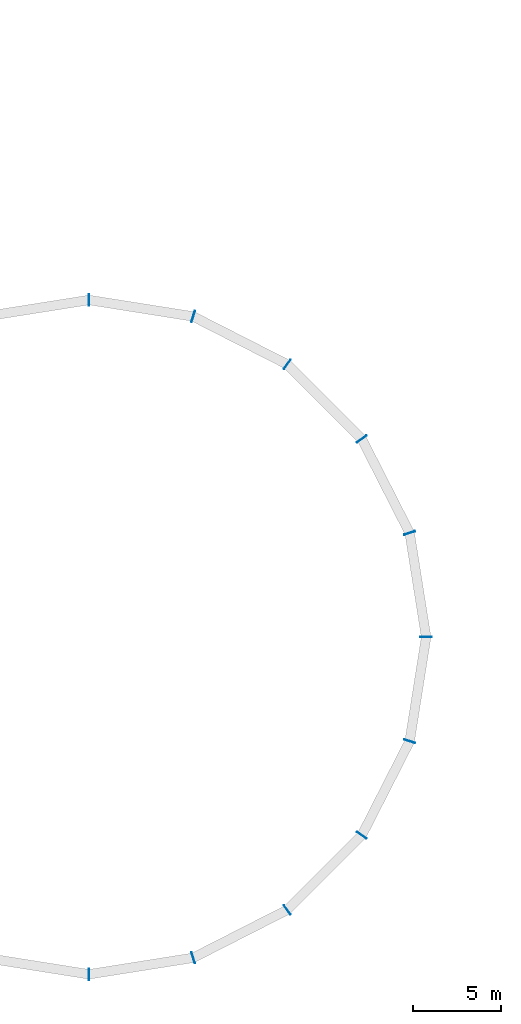
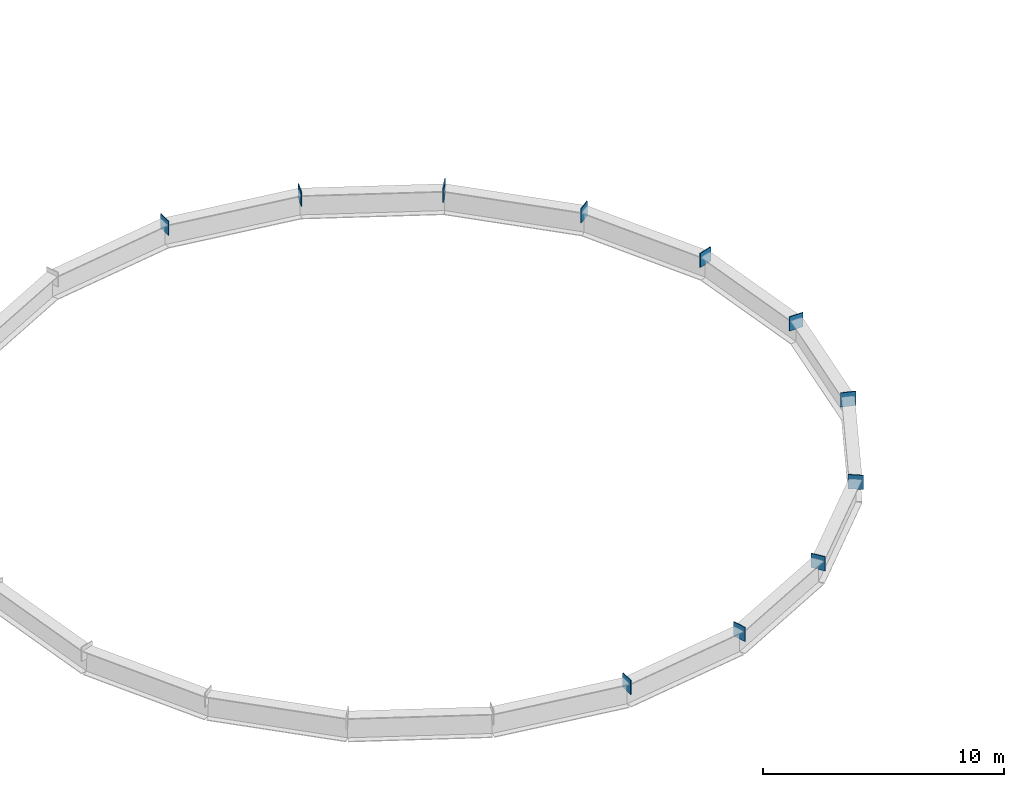
# One storey, part 27 of 45: 11 plates.
"""IFC4 building model written with IfcOpenShell, lengths in metres."""

from ifc_helpers import new_model, si_unit, direction, frame, origin, origin_2d, place, context, subcontext, project, spatial, rectangle, extrude, material, layer, layer_set, type_object, element, save


model = new_model("IFC4")

# Units and contexts
model_context = context("Model", 3, precision=1e-05, world=origin(), true_north=direction((0.0, 1.0)))
body_context = subcontext(model_context, "Body", "Model", "MODEL_VIEW")
ifc_project = project(units=[si_unit("LENGTHUNIT", "METRE"), si_unit("AREAUNIT", "SQUARE_METRE"), si_unit("VOLUMEUNIT", "CUBIC_METRE"), si_unit("PLANEANGLEUNIT", "RADIAN"), si_unit("MASSUNIT", "GRAM", prefix="KILO")], contexts=[model_context])

# Site, building, storey
site_placement = place(None, origin())
site = spatial("IfcSite", under=ifc_project, at=site_placement, CompositionType="ELEMENT")
building_placement = place(site_placement, origin())
building = spatial("IfcBuilding", under=site, at=building_placement, Name="Sefraquen Railside Congress Hotel", CompositionType="ELEMENT")
storey_placement = place(building_placement, frame((0.0, 0.0, 20.39990234375)))
storey = spatial("IfcBuildingStorey", under=building, at=storey_placement, Name="L04", CompositionType="ELEMENT", Elevation=20.39990234375)

# Plates
ifc_material = material(Name="Steel S355J2", Category="steel")
ifc_layer = layer(ifc_material, 0.0400390625)
ifc_layer_set = layer_set([ifc_layer], Name="Steel S355J2")
plate_type = type_object("IfcPlateType", Name="TP-GUS-02", PredefinedType="SHEET", material=ifc_layer_set)
for number, where, z_axis, x_axis, name in (
    (1, (83.39990234375, 27.0, 0.09033203125), (0.0, 0.0, 1.0), (1.0, 0.0, 0.0), "Dome ring-beam radial fin plate 01"),
    (2, (82.460205078125, 32.93310546875, 0.09033203125), (0.0, 0.0, 1.0), (0.951056516295, 0.309016994375, 0.0), "Dome ring-beam radial fin plate 02"),
    (3, (79.733154296875, 38.285400390625, 0.09033203125), (0.0, 0.0, 1.0), (0.809016994375, 0.587785252292, 0.0), "Dome ring-beam radial fin plate 03"),
    (4, (75.485595703125, 42.533203125, 0.09033203125), (0.0, 0.0, 1.0), (0.587785252292, 0.809016994375, 0.0), "Dome ring-beam radial fin plate 04"),
    (5, (70.133056640625, 45.26025390625, 0.09033203125), (0.0, 0.0, 1.0), (0.309016994375, 0.951056516295, 0.0), "Dome ring-beam radial fin plate 05"),
    (6, (64.199951171875, 46.199951171875, 0.09033203125), (0.0, 0.0, 1.0), (0.0, 1.0, 0.0), "Dome ring-beam radial fin plate 06"),
    (7, (64.199951171875, 7.800048828125, 0.09033203125), (0.0, 0.0, 1.0), (0.0, -1.0, 0.0), "Dome ring-beam radial fin plate 16"),
    (8, (70.133056640625, 8.73974609375, 0.09033203125), (0.0, 0.0, 1.0), (0.309016994375, -0.951056516295, 0.0), "Dome ring-beam radial fin plate 17"),
    (9, (75.485595703125, 11.466796875, 0.09033203125), (0.0, 0.0, 1.0), (0.587785252292, -0.809016994375, 0.0), "Dome ring-beam radial fin plate 18"),
    (10, (79.733154296875, 15.714599609375, 0.09033203125), (0.0, 0.0, 1.0), (0.809016994375, -0.587785252292, 0.0), "Dome ring-beam radial fin plate 19"),
    (11, (82.460205078125, 21.06689453125, 0.09033203125), (0.0, 0.0, 1.0), (0.951056516295, -0.309016994375, 0.0), "Dome ring-beam radial fin plate 20"),
):
    element("IfcPlate", number, at=place(storey_placement, frame(where, z_axis=z_axis, x_axis=x_axis)), inside=storey, type_object=plate_type, Name=name, PredefinedType="SHEET", context=body_context, shape_type="SweptSolid", body=[
        extrude(rectangle(XDim=0.64990234375, YDim=0.0400390625, at=origin_2d()), origin(), (0.0, 0.0, 1.0), 0.719970703125),
    ])

save(model, "model.ifc")
